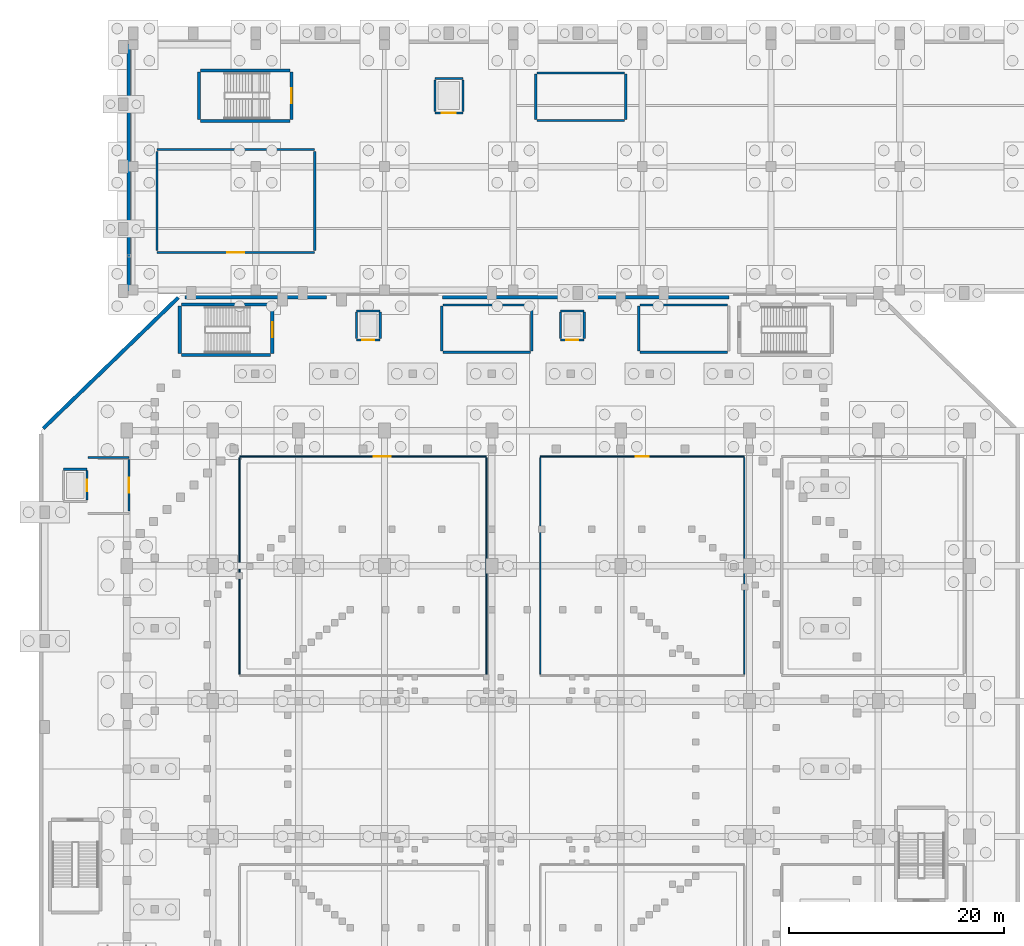
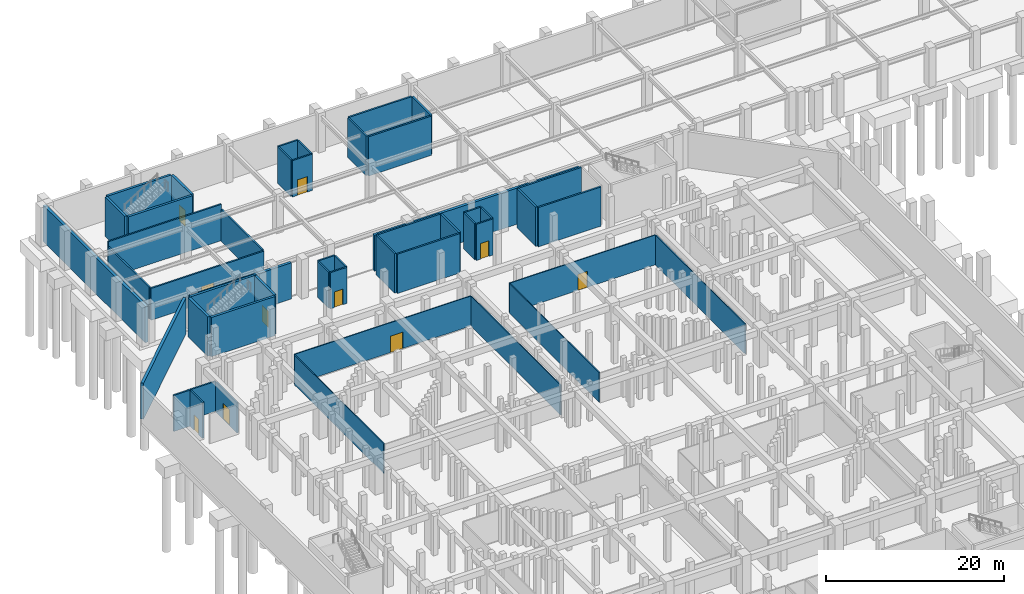
# One storey, part 16 of 27: 49 walls, 10 doors, 10 openings.
"""IFC4 building model written with IfcOpenShell, lengths in metres."""

from ifc_helpers import new_model, si_unit, derived_unit, direction, frame, frame_2d, origin, place, context, subcontext, project, spatial, rectangle, extrude, material, layer, layer_set, type_object, element, fill, save


model = new_model("IFC4")

# Units and contexts
model_context = context("Model", 3, precision=1e-05, world=origin(), true_north=direction((0.0, 1.0)))
body_context = subcontext(model_context, "Body", "Model", "MODEL_VIEW")
ifc_project = project(units=[si_unit("LENGTHUNIT", "METRE"), si_unit("AREAUNIT", "SQUARE_METRE"), si_unit("VOLUMEUNIT", "CUBIC_METRE"), si_unit("PLANEANGLEUNIT", "RADIAN"), si_unit("MASSUNIT", "GRAM", prefix="KILO"), derived_unit("THERMALTRANSMITTANCEUNIT", [(si_unit("MASSUNIT", "GRAM", prefix="KILO"), 1), (si_unit("TIMEUNIT", "SECOND"), -3), (si_unit("THERMODYNAMICTEMPERATUREUNIT", "KELVIN"), -1)])], contexts=[model_context])

# Site, building, storey
site_placement = place(None, origin())
site = spatial("IfcSite", under=ifc_project, at=site_placement, CompositionType="ELEMENT")
building_placement = place(site_placement, origin())
building = spatial("IfcBuilding", under=site, at=building_placement, Name="Valcora Ridge Arena", CompositionType="ELEMENT")
storey_placement = place(building_placement, frame((0.0, 0.0, -5.39990234375)))
storey = spatial("IfcBuildingStorey", under=building, at=storey_placement, Name="B1", CompositionType="ELEMENT", Elevation=-5.39990234375)

# Wall
ifc_material_1 = material(Name="Fire-resisting reinforced concrete enclosure C40/50 200 mm", Category="concrete")
ifc_layer_1 = layer(ifc_material_1, 0.199951171875, Name="Fire-resisting reinforced concrete enclosure C40/50 200 mm")
ifc_layer_set_1 = layer_set([ifc_layer_1], Name="Fire-resisting reinforced concrete enclosure C40/50 200 mm")
wall_type_1 = type_object("IfcWallType", Name="TY-WALL-IW-FIRE-200", PredefinedType="STANDARD", material=ifc_layer_set_1)
wall_1_placement = place(storey_placement, frame((20.39990234375, 93.10009765625, 0.0), z_axis=(0.0, 0.0, 1.0), x_axis=(1.0, 0.0, 0.0)))
element("IfcWall", 1, at=wall_1_placement, inside=storey, type_object=wall_type_1, Name="IW-FIRE-200 WAL-IN-0023", PredefinedType="STANDARD", context=body_context, shape_type="SweptSolid", body=[
    extrude(rectangle(XDim=3.800048828125, YDim=0.199951171875, at=frame_2d((1.89990234375, 0.0))), origin(), (0.0, 0.0, 1.0), 4.10986328125),
])

# Wall, opening, door
wall_2_placement = place(storey_placement, frame((24.199951171875, 88.10009765625, 0.0), z_axis=(0.0, 0.0, 1.0), x_axis=(0.0, 1.0, 0.0)))
wall_2 = element("IfcWall", 2, at=wall_2_placement, inside=storey, type_object=wall_type_1, Name="IW-FIRE-200 WAL-IN-0024", PredefinedType="STANDARD", context=body_context, shape_type="SweptSolid", body=[
    extrude(rectangle(XDim=4.7998046875, YDim=0.199951171875, at=frame_2d((2.39990234375, 0.0))), origin(), (0.0, 0.0, 1.0), 4.10986328125),
])
opening_1_placement = place(wall_2_placement, frame((1.699951171875, 0.0, 0.0)))
opening_1 = element("IfcOpeningElement", 3, at=opening_1_placement, cuts=wall_2, Name="Opening FD-FFL-1400", PredefinedType="OPENING", context=body_context, shape_type="SweptSolid", body=[
    extrude(rectangle(XDim=1.39990234375, YDim=2.199951171875, at=frame_2d((0.699951171875, 1.10009765625))), frame((0.0, 0.10986328125, 0.0), z_axis=(0.0, -1.0, 0.0), x_axis=(1.0, 0.0, 0.0)), (0.0, 0.0, 1.0), 0.219970703125),
])
ifc_material_2 = material(Name="Insulated fire-rated steel door leaf", Category="steel")
door_type_1 = type_object("IfcDoorType", Name="TY-DOOR-FD-FFL-1400", OperationType="NOTDEFINED", PredefinedType="DOOR", material=ifc_material_2)
door_1_placement = place(opening_1_placement, origin())
door_1 = element("IfcDoor", 4, at=door_1_placement, inside=storey, type_object=door_type_1, Name="FD-FFL-1400 DOR-IN-0008", OperationType="DOUBLE_DOOR_SINGLE_SWING", OverallHeight=2.199951171875, OverallWidth=1.39990234375, PredefinedType="DOOR", context=body_context, shape_type="SweptSolid", body=[
    extrude(rectangle(XDim=1.39990234375, YDim=2.199951171875, at=frame_2d((0.699951171875, 1.10009765625))), frame((0.0, 0.02490234375, 0.0), z_axis=(0.0, -1.0, 0.0), x_axis=(1.0, 0.0, 0.0)), (0.0, 0.0, 1.0), 0.050048828125),
])
fill(opening_1, door_1)

wall_3_placement = place(storey_placement, frame((26.800048828125, 112.199951171875, 0.0), z_axis=(0.0, 0.0, 1.0), x_axis=(1.0, 0.0, 0.0)))
wall_3 = element("IfcWall", 5, at=wall_3_placement, inside=storey, type_object=wall_type_1, Name="IW-FIRE-200 WAL-IN-0179", PredefinedType="STANDARD", context=body_context, shape_type="SweptSolid", body=[
    extrude(rectangle(XDim=14.699951171875, YDim=0.199951171875, at=frame_2d((7.35009765625, 0.0))), origin(), (0.0, 0.0, 1.0), 4.387939453125),
])
opening_2_placement = place(wall_3_placement, frame((6.550048828125, 0.0, 0.0)))
opening_2 = element("IfcOpeningElement", 6, at=opening_2_placement, cuts=wall_3, Name="Opening FD-PLT-1600", PredefinedType="OPENING", context=body_context, shape_type="SweptSolid", body=[
    extrude(rectangle(XDim=1.60009765625, YDim=2.300048828125, at=frame_2d((0.800048828125, 1.14990234375))), frame((0.0, 0.10986328125, 0.0), z_axis=(0.0, -1.0, 0.0), x_axis=(1.0, 0.0, 0.0)), (0.0, 0.0, 1.0), 0.219970703125),
])
door_type_2 = type_object("IfcDoorType", Name="TY-DOOR-FD-PLT-1600", OperationType="NOTDEFINED", PredefinedType="DOOR", material=ifc_material_2)
door_2_placement = place(opening_2_placement, origin())
door_2 = element("IfcDoor", 7, at=door_2_placement, inside=storey, type_object=door_type_2, Name="FD-PLT-1600 DOR-IN-0049", OperationType="DOUBLE_DOOR_SINGLE_SWING", OverallHeight=2.300048828125, OverallWidth=1.60009765625, PredefinedType="DOOR", context=body_context, shape_type="SweptSolid", body=[
    extrude(rectangle(XDim=1.60009765625, YDim=2.300048828125, at=frame_2d((0.800048828125, 1.14990234375))), frame((0.0, 0.02490234375, 0.0), z_axis=(0.0, -1.0, 0.0), x_axis=(1.0, 0.0, 0.0)), (0.0, 0.0, 1.0), 0.050048828125),
])
fill(opening_2, door_2)

# Walls
wall_4_placement = place(storey_placement, frame((26.800048828125, 121.800048828125, 0.0), z_axis=(0.0, 0.0, 1.0), x_axis=(1.0, 0.0, 0.0)))
element("IfcWall", 8, at=wall_4_placement, inside=storey, type_object=wall_type_1, Name="IW-FIRE-200 WAL-IN-0180", PredefinedType="STANDARD", context=body_context, shape_type="SweptSolid", body=[
    extrude(rectangle(XDim=14.699951171875, YDim=0.199951171875, at=frame_2d((7.35009765625, 0.0))), origin(), (0.0, 0.0, 1.0), 5.0),
])
for number, where, z_axis, x_axis, name in (
    (9, (26.800048828125, 112.39990234375, 0.0), (0.0, 0.0, 1.0), (0.0, 1.0, 0.0), "IW-FIRE-200 WAL-IN-0181"),
    (10, (41.5, 112.39990234375, 0.0), (0.0, 0.0, 1.0), (0.0, 1.0, 0.0), "IW-FIRE-200 WAL-IN-0182"),
):
    element("IfcWall", number, at=place(storey_placement, frame(where, z_axis=z_axis, x_axis=x_axis)), inside=storey, type_object=wall_type_1, Name=name, PredefinedType="STANDARD", context=body_context, shape_type="SweptSolid", body=[
        extrude(rectangle(XDim=9.2001953125, YDim=0.199951171875, at=frame_2d((4.60009765625, 0.0))), origin(), (0.0, 0.0, 1.0), 4.387939453125),
    ])

# Wall, opening, door
ifc_material_3 = material(Name="Acoustic metal-stud gypsum partition 120 mm")
ifc_layer_2 = layer(ifc_material_3, 0.1201171875, Name="Acoustic metal-stud gypsum partition 120 mm")
ifc_layer_set_2 = layer_set([ifc_layer_2], Name="Acoustic metal-stud gypsum partition 120 mm")
wall_type_2 = type_object("IfcWallType", Name="TY-WALL-IW-PART-120", PredefinedType="PARTITIONING", material=ifc_layer_set_2)
wall_5_placement = place(storey_placement, frame((34.5, 93.199951171875, 0.0), z_axis=(0.0, 0.0, 1.0), x_axis=(1.0, 0.0, 0.0)))
wall_5 = element("IfcWall", 11, at=wall_5_placement, inside=storey, type_object=wall_type_2, Name="IW-PART-120 WAL-IN-0200", PredefinedType="PARTITIONING", context=body_context, shape_type="SweptSolid", body=[
    extrude(rectangle(XDim=23.0, YDim=0.1201171875, at=frame_2d((11.5, 0.0))), origin(), (0.0, 0.0, 1.0), 4.10986328125),
])
opening_3_placement = place(wall_5_placement, frame((12.5, 0.0, 0.0)))
opening_3 = element("IfcOpeningElement", 12, at=opening_3_placement, cuts=wall_5, Name="Opening D-ATH-1600", PredefinedType="OPENING", context=body_context, shape_type="SweptSolid", body=[
    extrude(rectangle(XDim=1.60009765625, YDim=2.25, at=frame_2d((0.800048828125, 1.125))), frame((0.0, 0.070068359375, 0.0), z_axis=(0.0, -1.0, 0.0), x_axis=(1.0, 0.0, 0.0)), (0.0, 0.0, 1.0), 0.14013671875),
])
ifc_material_4 = material(Name="Solid-core acoustic timber veneer door leaf", Category="wood")
door_type_3 = type_object("IfcDoorType", Name="TY-DOOR-D-ATH-1600", OperationType="NOTDEFINED", PredefinedType="DOOR", material=ifc_material_4)
door_3_placement = place(opening_3_placement, origin())
door_3 = element("IfcDoor", 13, at=door_3_placement, inside=storey, type_object=door_type_3, Name="D-ATH-1600 DOR-IN-0054", OperationType="DOUBLE_DOOR_SINGLE_SWING", OverallHeight=2.25, OverallWidth=1.60009765625, PredefinedType="DOOR", context=body_context, shape_type="SweptSolid", body=[
    extrude(rectangle(XDim=1.60009765625, YDim=2.25, at=frame_2d((0.800048828125, 1.125))), frame((0.0, 0.02490234375, 0.0), z_axis=(0.0, -1.0, 0.0), x_axis=(1.0, 0.0, 0.0)), (0.0, 0.0, 1.0), 0.050048828125),
])
fill(opening_3, door_3)

# Walls
for number, where, z_axis, x_axis, name in (
    (14, (34.5, 72.919921875, 0.0), (0.0, 0.0, 1.0), (0.0, 1.0, 0.0), "IW-PART-120 WAL-IN-0201"),
    (15, (57.5, 72.919921875, 0.0), (0.0, 0.0, 1.0), (0.0, 1.0, 0.0), "IW-PART-120 WAL-IN-0202"),
):
    element("IfcWall", number, at=place(storey_placement, frame(where, z_axis=z_axis, x_axis=x_axis)), inside=storey, type_object=wall_type_2, Name=name, PredefinedType="PARTITIONING", context=body_context, shape_type="SweptSolid", body=[
        extrude(rectangle(XDim=20.16015625, YDim=0.1201171875, at=frame_2d((10.080078125, 0.0))), origin(), (0.0, 0.0, 1.0), 4.10986328125),
    ])

# Wall, opening, door
wall_6_placement = place(storey_placement, frame((62.5, 93.199951171875, 0.0), z_axis=(0.0, 0.0, 1.0), x_axis=(1.0, 0.0, 0.0)))
wall_6 = element("IfcWall", 16, at=wall_6_placement, inside=storey, type_object=wall_type_2, Name="IW-PART-120 WAL-IN-0204", PredefinedType="PARTITIONING", context=body_context, shape_type="SweptSolid", body=[
    extrude(rectangle(XDim=19.0, YDim=0.1201171875, at=frame_2d((9.5, 0.0))), origin(), (0.0, 0.0, 1.0), 4.10986328125),
])
opening_4_placement = place(wall_6_placement, frame((8.89990234375, 0.0, 0.0)))
opening_4 = element("IfcOpeningElement", 17, at=opening_4_placement, cuts=wall_6, Name="Opening D-ATH-1200", PredefinedType="OPENING", context=body_context, shape_type="SweptSolid", body=[
    extrude(rectangle(XDim=1.199951171875, YDim=2.199951171875, at=frame_2d((0.60009765625, 1.10009765625))), frame((0.0, 0.070068359375, 0.0), z_axis=(0.0, -1.0, 0.0), x_axis=(1.0, 0.0, 0.0)), (0.0, 0.0, 1.0), 0.14013671875),
])
door_type_4 = type_object("IfcDoorType", Name="TY-DOOR-D-ATH-1200", OperationType="NOTDEFINED", PredefinedType="DOOR", material=ifc_material_4)
door_4_placement = place(opening_4_placement, origin())
door_4 = element("IfcDoor", 18, at=door_4_placement, inside=storey, type_object=door_type_4, Name="D-ATH-1200 DOR-IN-0055", OperationType="SINGLE_SWING_RIGHT", OverallHeight=2.199951171875, OverallWidth=1.199951171875, PredefinedType="DOOR", context=body_context, shape_type="SweptSolid", body=[
    extrude(rectangle(XDim=1.199951171875, YDim=2.199951171875, at=frame_2d((0.60009765625, 1.10009765625))), frame((0.0, 0.02490234375, 0.0), z_axis=(0.0, -1.0, 0.0), x_axis=(1.0, 0.0, 0.0)), (0.0, 0.0, 1.0), 0.050048828125),
])
fill(opening_4, door_4)

# Walls
for number, where, z_axis, x_axis, name in (
    (19, (62.5, 72.919921875, 0.0), (0.0, 0.0, 1.0), (0.0, 1.0, 0.0), "IW-PART-120 WAL-IN-0205"),
    (20, (81.5, 72.919921875, 0.0), (0.0, 0.0, 1.0), (0.0, 1.0, 0.0), "IW-PART-120 WAL-IN-0206"),
):
    element("IfcWall", number, at=place(storey_placement, frame(where, z_axis=z_axis, x_axis=x_axis)), inside=storey, type_object=wall_type_2, Name=name, PredefinedType="PARTITIONING", context=body_context, shape_type="SweptSolid", body=[
        extrude(rectangle(XDim=20.16015625, YDim=0.1201171875, at=frame_2d((10.080078125, 0.0))), origin(), (0.0, 0.0, 1.0), 4.10986328125),
    ])
ifc_material_5 = material(Name="Concrete C40/50", Category="concrete")
ifc_layer_3 = layer(ifc_material_5, 0.199951171875, Name="Concrete C40/50")
ifc_layer_set_3 = layer_set([ifc_layer_3], Name="Concrete C40/50")
wall_type_3 = type_object("IfcWallType", Name="TY-WALL-IW-SHF-200", PredefinedType="STANDARD", material=ifc_layer_set_3)
wall_7_placement = place(storey_placement, frame((18.10009765625, 92.0, 0.0), z_axis=(0.0, 0.0, 1.0), x_axis=(1.0, 0.0, 0.0)))
element("IfcWall", 21, at=wall_7_placement, inside=storey, type_object=wall_type_3, Name="IW-SHF-200 WAL-SH-0030", PredefinedType="STANDARD", context=body_context, shape_type="SweptSolid", body=[
    extrude(rectangle(XDim=2.199951171875, YDim=0.199951171875, at=frame_2d((1.10009765625, 0.0))), origin(), (0.0, 0.0, 1.0), 4.9599609375),
])

# Wall, opening, door
wall_8_placement = place(storey_placement, frame((20.300048828125, 89.1201171875, 0.0), z_axis=(0.0, 0.0, 1.0), x_axis=(0.0, 1.0, 0.0)))
wall_8 = element("IfcWall", 22, at=wall_8_placement, inside=storey, type_object=wall_type_3, Name="IW-SHF-200 WAL-SH-0032", PredefinedType="STANDARD", context=body_context, shape_type="SweptSolid", body=[
    extrude(rectangle(XDim=2.759765625, YDim=0.199951171875, at=frame_2d((1.3798828125, 0.0))), origin(), (0.0, 0.0, 1.0), 4.9599609375),
])
opening_5_placement = place(wall_8_placement, frame((0.830078125, 0.0, 0.0)))
opening_5 = element("IfcOpeningElement", 23, at=opening_5_placement, cuts=wall_8, Name="Opening LD-FF", PredefinedType="OPENING", context=body_context, shape_type="SweptSolid", body=[
    extrude(rectangle(XDim=1.10009765625, YDim=2.14990234375, at=frame_2d((0.550048828125, 1.074951171875))), frame((0.0, 0.10986328125, 0.0), z_axis=(0.0, -1.0, 0.0), x_axis=(1.0, 0.0, 0.0)), (0.0, 0.0, 1.0), 0.219970703125),
])
ifc_material_6 = material(Name="Insulated fire-rated hollow metal steel", Category="steel")
door_type_5 = type_object("IfcDoorType", Name="TY-DOOR-LD-FF", OperationType="NOTDEFINED", PredefinedType="DOOR", material=ifc_material_6)
door_5_placement = place(opening_5_placement, origin())
door_5 = element("IfcDoor", 24, at=door_5_placement, inside=storey, type_object=door_type_5, Name="FFL2 Landing Door B1", OperationType="SLIDING_TO_LEFT", OverallHeight=2.14990234375, OverallWidth=1.10009765625, PredefinedType="DOOR", context=body_context, shape_type="SweptSolid", body=[
    extrude(rectangle(XDim=1.10009765625, YDim=2.14990234375, at=frame_2d((0.550048828125, 1.074951171875))), frame((0.0, 0.02490234375, 0.0), z_axis=(0.0, -1.0, 0.0), x_axis=(1.0, 0.0, 0.0)), (0.0, 0.0, 1.0), 0.050048828125),
])
fill(opening_5, door_5)

wall_9_placement = place(storey_placement, frame((45.39990234375, 104.050048828125, 0.0), z_axis=(0.0, 0.0, 1.0), x_axis=(1.0, 0.0, 0.0)))
wall_9 = element("IfcWall", 25, at=wall_9_placement, inside=storey, type_object=wall_type_3, Name="IW-SHF-200 WAL-SH-0105", PredefinedType="STANDARD", context=body_context, shape_type="SweptSolid", body=[
    extrude(rectangle(XDim=2.2001953125, YDim=0.199951171875, at=frame_2d((1.10009765625, 0.0))), origin(), (0.0, 0.0, 1.0), 4.9599609375),
])
opening_6_placement = place(wall_9_placement, frame((0.550048828125, 0.0, 0.0)))
opening_6 = element("IfcOpeningElement", 26, at=opening_6_placement, cuts=wall_9, Name="Opening LD-PAX", PredefinedType="OPENING", context=body_context, shape_type="SweptSolid", body=[
    extrude(rectangle(XDim=1.10009765625, YDim=2.14990234375, at=frame_2d((0.550048828125, 1.074951171875))), frame((0.0, 0.10986328125, 0.0), z_axis=(0.0, -1.0, 0.0), x_axis=(1.0, 0.0, 0.0)), (0.0, 0.0, 1.0), 0.219970703125),
])
door_type_6 = type_object("IfcDoorType", Name="TY-DOOR-LD-PAX", OperationType="NOTDEFINED", PredefinedType="DOOR", material=ifc_material_6)
door_6_placement = place(opening_6_placement, origin())
door_6 = element("IfcDoor", 27, at=door_6_placement, inside=storey, type_object=door_type_6, Name="PL3 Landing Door B1", OperationType="SLIDING_TO_LEFT", OverallHeight=2.14990234375, OverallWidth=1.10009765625, PredefinedType="DOOR", context=body_context, shape_type="SweptSolid", body=[
    extrude(rectangle(XDim=1.10009765625, YDim=2.14990234375, at=frame_2d((0.550048828125, 1.074951171875))), frame((0.0, 0.02490234375, 0.0), z_axis=(0.0, -1.0, 0.0), x_axis=(1.0, 0.0, 0.0)), (0.0, 0.0, 1.0), 0.050048828125),
])
fill(opening_6, door_6)

# Walls
wall_10_placement = place(storey_placement, frame((45.39990234375, 106.75, 0.0), z_axis=(0.0, 0.0, 1.0), x_axis=(1.0, 0.0, 0.0)))
element("IfcWall", 28, at=wall_10_placement, inside=storey, type_object=wall_type_3, Name="IW-SHF-200 WAL-SH-0106", PredefinedType="STANDARD", context=body_context, shape_type="SweptSolid", body=[
    extrude(rectangle(XDim=2.2001953125, YDim=0.199951171875, at=frame_2d((1.10009765625, 0.0))), origin(), (0.0, 0.0, 1.0), 4.9599609375),
])
for number, where, z_axis, x_axis, name in (
    (29, (45.39990234375, 104.169921875, 0.0), (0.0, 0.0, 1.0), (0.0, 1.0, 0.0), "IW-SHF-200 WAL-SH-0107"),
    (30, (47.60009765625, 104.169921875, 0.0), (0.0, 0.0, 1.0), (0.0, 1.0, 0.0), "IW-SHF-200 WAL-SH-0108"),
):
    element("IfcWall", number, at=place(storey_placement, frame(where, z_axis=z_axis, x_axis=x_axis)), inside=storey, type_object=wall_type_3, Name=name, PredefinedType="STANDARD", context=body_context, shape_type="SweptSolid", body=[
        extrude(rectangle(XDim=2.4599609375, YDim=0.199951171875, at=frame_2d((1.22998046875, 0.0))), origin(), (0.0, 0.0, 1.0), 4.9599609375),
    ])

# Wall, opening, door
wall_11_placement = place(storey_placement, frame((64.39990234375, 104.050048828125, 0.0), z_axis=(0.0, 0.0, 1.0), x_axis=(1.0, 0.0, 0.0)))
wall_11 = element("IfcWall", 31, at=wall_11_placement, inside=storey, type_object=wall_type_3, Name="IW-SHF-200 WAL-SH-0129", PredefinedType="STANDARD", context=body_context, shape_type="SweptSolid", body=[
    extrude(rectangle(XDim=2.2001953125, YDim=0.199951171875, at=frame_2d((1.10009765625, 0.0))), origin(), (0.0, 0.0, 1.0), 4.9599609375),
])
opening_7_placement = place(wall_11_placement, frame((0.550048828125, 0.0, 0.0)))
opening_7 = element("IfcOpeningElement", 32, at=opening_7_placement, cuts=wall_11, Name="Opening LD-PAX", PredefinedType="OPENING", context=body_context, shape_type="SweptSolid", body=[
    extrude(rectangle(XDim=1.10009765625, YDim=2.14990234375, at=frame_2d((0.550048828125, 1.074951171875))), frame((0.0, 0.10986328125, 0.0), z_axis=(0.0, -1.0, 0.0), x_axis=(1.0, 0.0, 0.0)), (0.0, 0.0, 1.0), 0.219970703125),
])
door_7_placement = place(opening_7_placement, origin())
door_7 = element("IfcDoor", 33, at=door_7_placement, inside=storey, type_object=door_type_6, Name="PL4 Landing Door B1", OperationType="SLIDING_TO_LEFT", OverallHeight=2.14990234375, OverallWidth=1.10009765625, PredefinedType="DOOR", context=body_context, shape_type="SweptSolid", body=[
    extrude(rectangle(XDim=1.10009765625, YDim=2.14990234375, at=frame_2d((0.550048828125, 1.074951171875))), frame((0.0, 0.02490234375, 0.0), z_axis=(0.0, -1.0, 0.0), x_axis=(1.0, 0.0, 0.0)), (0.0, 0.0, 1.0), 0.050048828125),
])
fill(opening_7, door_7)

# Walls
wall_12_placement = place(storey_placement, frame((64.39990234375, 106.75, 0.0), z_axis=(0.0, 0.0, 1.0), x_axis=(1.0, 0.0, 0.0)))
element("IfcWall", 34, at=wall_12_placement, inside=storey, type_object=wall_type_3, Name="IW-SHF-200 WAL-SH-0130", PredefinedType="STANDARD", context=body_context, shape_type="SweptSolid", body=[
    extrude(rectangle(XDim=2.2001953125, YDim=0.199951171875, at=frame_2d((1.10009765625, 0.0))), origin(), (0.0, 0.0, 1.0), 4.9599609375),
])
for number, where, z_axis, x_axis, name in (
    (35, (64.39990234375, 104.169921875, 0.0), (0.0, 0.0, 1.0), (0.0, 1.0, 0.0), "IW-SHF-200 WAL-SH-0131"),
    (36, (66.60009765625, 104.169921875, 0.0), (0.0, 0.0, 1.0), (0.0, 1.0, 0.0), "IW-SHF-200 WAL-SH-0132"),
):
    element("IfcWall", number, at=place(storey_placement, frame(where, z_axis=z_axis, x_axis=x_axis)), inside=storey, type_object=wall_type_3, Name=name, PredefinedType="STANDARD", context=body_context, shape_type="SweptSolid", body=[
        extrude(rectangle(XDim=2.4599609375, YDim=0.199951171875, at=frame_2d((1.22998046875, 0.0))), origin(), (0.0, 0.0, 1.0), 4.9599609375),
    ])

# Wall, opening, door
wall_13_placement = place(storey_placement, frame((52.699951171875, 125.199951171875, 0.0), z_axis=(0.0, 0.0, 1.0), x_axis=(1.0, 0.0, 0.0)))
wall_13 = element("IfcWall", 37, at=wall_13_placement, inside=storey, type_object=wall_type_3, Name="IW-SHF-200 WAL-SH-0245", PredefinedType="STANDARD", context=body_context, shape_type="SweptSolid", body=[
    extrude(rectangle(XDim=2.60009765625, YDim=0.199951171875, at=frame_2d((1.300048828125, 0.0))), origin(), (0.0, 0.0, 1.0), 5.0),
])
opening_8_placement = place(wall_13_placement, frame((0.64990234375, 0.0, 0.0)))
opening_8 = element("IfcOpeningElement", 38, at=opening_8_placement, cuts=wall_13, Name="Opening LD-GDS", PredefinedType="OPENING", context=body_context, shape_type="SweptSolid", body=[
    extrude(rectangle(XDim=1.300048828125, YDim=2.14990234375, at=frame_2d((0.64990234375, 1.074951171875))), frame((0.0, 0.10986328125, 0.0), z_axis=(0.0, -1.0, 0.0), x_axis=(1.0, 0.0, 0.0)), (0.0, 0.0, 1.0), 0.219970703125),
])
door_type_7 = type_object("IfcDoorType", Name="TY-DOOR-LD-GDS", OperationType="NOTDEFINED", PredefinedType="DOOR", material=ifc_material_6)
door_8_placement = place(opening_8_placement, origin())
door_8 = element("IfcDoor", 39, at=door_8_placement, inside=storey, type_object=door_type_7, Name="GL1 Landing Door B1", OperationType="SLIDING_TO_LEFT", OverallHeight=2.14990234375, OverallWidth=1.300048828125, PredefinedType="DOOR", context=body_context, shape_type="SweptSolid", body=[
    extrude(rectangle(XDim=1.300048828125, YDim=2.14990234375, at=frame_2d((0.64990234375, 1.074951171875))), frame((0.0, 0.02490234375, 0.0), z_axis=(0.0, -1.0, 0.0), x_axis=(1.0, 0.0, 0.0)), (0.0, 0.0, 1.0), 0.050048828125),
])
fill(opening_8, door_8)

# Walls
wall_14_placement = place(storey_placement, frame((52.699951171875, 128.39990234375, 0.0), z_axis=(0.0, 0.0, 1.0), x_axis=(1.0, 0.0, 0.0)))
element("IfcWall", 40, at=wall_14_placement, inside=storey, type_object=wall_type_3, Name="IW-SHF-200 WAL-SH-0246", PredefinedType="STANDARD", context=body_context, shape_type="SweptSolid", body=[
    extrude(rectangle(XDim=2.60009765625, YDim=0.199951171875, at=frame_2d((1.300048828125, 0.0))), origin(), (0.0, 0.0, 1.0), 5.0),
])
for number, where, z_axis, x_axis, name in (
    (41, (52.699951171875, 125.320068359375, 0.0), (0.0, 0.0, 1.0), (0.0, 1.0, 0.0), "IW-SHF-200 WAL-SH-0247"),
    (42, (55.300048828125, 125.320068359375, 0.0), (0.0, 0.0, 1.0), (0.0, 1.0, 0.0), "IW-SHF-200 WAL-SH-0248"),
):
    element("IfcWall", number, at=place(storey_placement, frame(where, z_axis=z_axis, x_axis=x_axis)), inside=storey, type_object=wall_type_3, Name=name, PredefinedType="STANDARD", context=body_context, shape_type="SweptSolid", body=[
        extrude(rectangle(XDim=2.9599609375, YDim=0.199951171875, at=frame_2d((1.47998046875, 0.0))), origin(), (0.0, 0.0, 1.0), 5.0),
    ])
ifc_material_7 = material(Name="Concrete C45/55", Category="concrete")
ifc_layer_4 = layer(ifc_material_7, 0.300048828125, Name="Concrete C45/55")
ifc_layer_set_4 = layer_set([ifc_layer_4], Name="Concrete C45/55")
wall_type_4 = type_object("IfcWallType", Name="TY-WALL-SW-C300-L", PredefinedType="SHEAR", material=ifc_layer_set_4)
for number, where, z_axis, x_axis, name in (
    (43, (29.080078125, 102.64990234375, 0.0), (0.0, 0.0, 1.0), (1.0, 0.0, 0.0), "SW-C300-L WAL-CR-0053"),
    (44, (29.080078125, 107.35009765625, 0.0), (0.0, 0.0, 1.0), (1.0, 0.0, 0.0), "SW-C300-L WAL-CR-0054"),
):
    element("IfcWall", number, at=place(storey_placement, frame(where, z_axis=z_axis, x_axis=x_axis)), inside=storey, type_object=wall_type_4, Name=name, PredefinedType="SHEAR", context=body_context, shape_type="SweptSolid", body=[
        extrude(rectangle(XDim=8.31982421875, YDim=0.300048828125, at=frame_2d((4.159912109375, 0.0))), origin(), (0.0, 0.0, 1.0), 5.39990234375),
    ])
for number, where, z_axis, x_axis, name in (
    (45, (30.8798828125, 124.449951171875, 0.0), (0.0, 0.0, 1.0), (1.0, 0.0, 0.0), "SW-C300-L WAL-CR-0177"),
    (46, (30.8798828125, 129.14990234375, 0.0), (0.0, 0.0, 1.0), (1.0, 0.0, 0.0), "SW-C300-L WAL-CR-0178"),
):
    element("IfcWall", number, at=place(storey_placement, frame(where, z_axis=z_axis, x_axis=x_axis)), inside=storey, type_object=wall_type_4, Name=name, PredefinedType="SHEAR", context=body_context, shape_type="SweptSolid", body=[
        extrude(rectangle(XDim=8.320068359375, YDim=0.300048828125, at=frame_2d((4.16015625, 0.0))), origin(), (0.0, 0.0, 1.0), 5.39990234375),
    ])
ifc_layer_5 = layer(ifc_material_7, 0.300048828125, Name="Concrete C45/55")
ifc_layer_set_5 = layer_set([ifc_layer_5], Name="Concrete C45/55")
wall_type_5 = type_object("IfcWallType", Name="TY-WALL-SW-C300-S", PredefinedType="SHEAR", material=ifc_layer_set_5)
wall_15_placement = place(storey_placement, frame((28.929931640625, 102.800048828125, 0.0), z_axis=(0.0, 0.0, 1.0), x_axis=(0.0, 1.0, 0.0)))
element("IfcWall", 47, at=wall_15_placement, inside=storey, type_object=wall_type_5, Name="SW-C300-S WAL-CR-0055", PredefinedType="SHEAR", context=body_context, shape_type="SweptSolid", body=[
    extrude(rectangle(XDim=4.39990234375, YDim=0.300048828125, at=frame_2d((2.199951171875, 0.0))), origin(), (0.0, 0.0, 1.0), 5.39990234375),
])

# Wall, opening, door
wall_16_placement = place(storey_placement, frame((37.550048828125, 102.800048828125, 0.0), z_axis=(0.0, 0.0, 1.0), x_axis=(0.0, 1.0, 0.0)))
wall_16 = element("IfcWall", 48, at=wall_16_placement, inside=storey, type_object=wall_type_5, Name="SW-C300-S WAL-CR-0056", PredefinedType="SHEAR", context=body_context, shape_type="SweptSolid", body=[
    extrude(rectangle(XDim=4.39990234375, YDim=0.300048828125, at=frame_2d((2.199951171875, 0.0))), origin(), (0.0, 0.0, 1.0), 5.39990234375),
])
opening_9_placement = place(wall_16_placement, frame((1.5, 0.0, 0.0)))
opening_9 = element("IfcOpeningElement", 49, at=opening_9_placement, cuts=wall_16, Name="Opening FD-01", PredefinedType="OPENING", context=body_context, shape_type="SweptSolid", body=[
    extrude(rectangle(XDim=1.39990234375, YDim=2.199951171875, at=frame_2d((0.699951171875, 1.10009765625))), frame((0.0, 0.159912109375, 0.0), z_axis=(0.0, -1.0, 0.0), x_axis=(1.0, 0.0, 0.0)), (0.0, 0.0, 1.0), 0.320068359375),
])
door_type_8 = type_object("IfcDoorType", Name="TY-DOOR-FD-01", OperationType="NOTDEFINED", PredefinedType="DOOR", material=ifc_material_2)
door_9_placement = place(opening_9_placement, origin())
door_9 = element("IfcDoor", 50, at=door_9_placement, inside=storey, type_object=door_type_8, Name="FD-01 DOR-ST-0014", OperationType="DOUBLE_DOOR_SINGLE_SWING", OverallHeight=2.199951171875, OverallWidth=1.39990234375, PredefinedType="DOOR", context=body_context, shape_type="SweptSolid", body=[
    extrude(rectangle(XDim=1.39990234375, YDim=2.199951171875, at=frame_2d((0.699951171875, 1.10009765625))), frame((0.0, 0.02490234375, 0.0), z_axis=(0.0, -1.0, 0.0), x_axis=(1.0, 0.0, 0.0)), (0.0, 0.0, 1.0), 0.050048828125),
])
fill(opening_9, door_9)

# Wall
wall_17_placement = place(storey_placement, frame((30.72998046875, 124.60009765625, 0.0), z_axis=(0.0, 0.0, 1.0), x_axis=(0.0, 1.0, 0.0)))
element("IfcWall", 51, at=wall_17_placement, inside=storey, type_object=wall_type_5, Name="SW-C300-S WAL-CR-0179", PredefinedType="SHEAR", context=body_context, shape_type="SweptSolid", body=[
    extrude(rectangle(XDim=4.39990234375, YDim=0.300048828125, at=frame_2d((2.199951171875, 0.0))), origin(), (0.0, 0.0, 1.0), 5.39990234375),
])

# Wall, opening, door
wall_18_placement = place(storey_placement, frame((39.35009765625, 124.60009765625, 0.0), z_axis=(0.0, 0.0, 1.0), x_axis=(0.0, 1.0, 0.0)))
wall_18 = element("IfcWall", 52, at=wall_18_placement, inside=storey, type_object=wall_type_5, Name="SW-C300-S WAL-CR-0180", PredefinedType="SHEAR", context=body_context, shape_type="SweptSolid", body=[
    extrude(rectangle(XDim=4.39990234375, YDim=0.300048828125, at=frame_2d((2.199951171875, 0.0))), origin(), (0.0, 0.0, 1.0), 5.39990234375),
])
opening_10_placement = place(wall_18_placement, frame((1.5, 0.0, 0.0)))
opening_10 = element("IfcOpeningElement", 53, at=opening_10_placement, cuts=wall_18, Name="Opening FD-01", PredefinedType="OPENING", context=body_context, shape_type="SweptSolid", body=[
    extrude(rectangle(XDim=1.39990234375, YDim=2.199951171875, at=frame_2d((0.699951171875, 1.10009765625))), frame((0.0, 0.159912109375, 0.0), z_axis=(0.0, -1.0, 0.0), x_axis=(1.0, 0.0, 0.0)), (0.0, 0.0, 1.0), 0.320068359375),
])
door_10_placement = place(opening_10_placement, origin())
door_10 = element("IfcDoor", 54, at=door_10_placement, inside=storey, type_object=door_type_8, Name="FD-01 DOR-ST-0045", OperationType="DOUBLE_DOOR_SINGLE_SWING", OverallHeight=2.199951171875, OverallWidth=1.39990234375, PredefinedType="DOOR", context=body_context, shape_type="SweptSolid", body=[
    extrude(rectangle(XDim=1.39990234375, YDim=2.199951171875, at=frame_2d((0.699951171875, 1.10009765625))), frame((0.0, 0.02490234375, 0.0), z_axis=(0.0, -1.0, 0.0), x_axis=(1.0, 0.0, 0.0)), (0.0, 0.0, 1.0), 0.050048828125),
])
fill(opening_10, door_10)

# Walls
ifc_layer_6 = layer(ifc_material_1, 0.219970703125, Name="Fire-resisting reinforced concrete enclosure C40/50 200 mm")
ifc_layer_set_6 = layer_set([ifc_layer_6], Name="Fire-resisting reinforced concrete enclosure C40/50 200 mm")
wall_type_6 = type_object("IfcWallType", Name="TY-WALL-SW-ES-220", PredefinedType="SHEAR", material=ifc_layer_set_6)
for number, where, z_axis, x_axis, name in (
    (55, (53.43994140625, 102.889892578125, 0.0), (0.0, 0.0, 1.0), (1.0, 0.0, 0.0), "SW-ES-220 WAL-ES-0049"),
    (56, (53.43994140625, 107.31005859375, 0.0), (0.0, 0.0, 1.0), (1.0, 0.0, 0.0), "SW-ES-220 WAL-ES-0050"),
):
    element("IfcWall", number, at=place(storey_placement, frame(where, z_axis=z_axis, x_axis=x_axis)), inside=storey, type_object=wall_type_6, Name=name, PredefinedType="SHEAR", context=body_context, shape_type="SweptSolid", body=[
        extrude(rectangle(XDim=8.16015625, YDim=0.219970703125, at=frame_2d((4.080078125, 0.0))), origin(), (0.0, 0.0, 1.0), 5.39990234375),
    ])
for number, where, z_axis, x_axis, name in (
    (57, (53.330078125, 103.0, 0.0), (0.0, 0.0, 1.0), (0.0, 1.0, 0.0), "SW-ES-220 WAL-ES-0051"),
    (58, (61.7099609375, 103.0, 0.0), (0.0, 0.0, 1.0), (0.0, 1.0, 0.0), "SW-ES-220 WAL-ES-0052"),
):
    element("IfcWall", number, at=place(storey_placement, frame(where, z_axis=z_axis, x_axis=x_axis)), inside=storey, type_object=wall_type_6, Name=name, PredefinedType="SHEAR", context=body_context, shape_type="SweptSolid", body=[
        extrude(rectangle(XDim=4.199951171875, YDim=0.219970703125, at=frame_2d((2.10009765625, 0.0))), origin(), (0.0, 0.0, 1.0), 5.39990234375),
    ])
for number, where, z_axis, x_axis, name in (
    (59, (71.800048828125, 102.889892578125, 0.0), (0.0, 0.0, 1.0), (1.0, 0.0, 0.0), "SW-ES-220 WAL-ES-0073"),
    (60, (71.800048828125, 107.31005859375, 0.0), (0.0, 0.0, 1.0), (1.0, 0.0, 0.0), "SW-ES-220 WAL-ES-0074"),
):
    element("IfcWall", number, at=place(storey_placement, frame(where, z_axis=z_axis, x_axis=x_axis)), inside=storey, type_object=wall_type_6, Name=name, PredefinedType="SHEAR", context=body_context, shape_type="SweptSolid", body=[
        extrude(rectangle(XDim=8.159912109375, YDim=0.219970703125, at=frame_2d((4.080078125, 0.0))), origin(), (0.0, 0.0, 1.0), 5.39990234375),
    ])
wall_19_placement = place(storey_placement, frame((71.68994140625, 103.0, 0.0), z_axis=(0.0, 0.0, 1.0), x_axis=(0.0, 1.0, 0.0)))
element("IfcWall", 61, at=wall_19_placement, inside=storey, type_object=wall_type_6, Name="SW-ES-220 WAL-ES-0075", PredefinedType="SHEAR", context=body_context, shape_type="SweptSolid", body=[
    extrude(rectangle(XDim=4.199951171875, YDim=0.219970703125, at=frame_2d((2.10009765625, 0.0))), origin(), (0.0, 0.0, 1.0), 5.39990234375),
])
for number, where, z_axis, x_axis, name in (
    (62, (62.199951171875, 124.489990234375, 0.0), (0.0, 0.0, 1.0), (1.0, 0.0, 0.0), "SW-ES-220 WAL-ES-0165"),
    (63, (62.199951171875, 128.909912109375, 0.0), (0.0, 0.0, 1.0), (1.0, 0.0, 0.0), "SW-ES-220 WAL-ES-0166"),
):
    element("IfcWall", number, at=place(storey_placement, frame(where, z_axis=z_axis, x_axis=x_axis)), inside=storey, type_object=wall_type_6, Name=name, PredefinedType="SHEAR", context=body_context, shape_type="SweptSolid", body=[
        extrude(rectangle(XDim=8.16015625, YDim=0.219970703125, at=frame_2d((4.080078125, 0.0))), origin(), (0.0, 0.0, 1.0), 5.39990234375),
    ])
for number, where, z_axis, x_axis, name in (
    (64, (62.090087890625, 124.60009765625, 0.0), (0.0, 0.0, 1.0), (0.0, 1.0, 0.0), "SW-ES-220 WAL-ES-0167"),
    (65, (70.469970703125, 124.60009765625, 0.0), (0.0, 0.0, 1.0), (0.0, 1.0, 0.0), "SW-ES-220 WAL-ES-0168"),
):
    element("IfcWall", number, at=place(storey_placement, frame(where, z_axis=z_axis, x_axis=x_axis)), inside=storey, type_object=wall_type_6, Name=name, PredefinedType="SHEAR", context=body_context, shape_type="SweptSolid", body=[
        extrude(rectangle(XDim=4.199951171875, YDim=0.219970703125, at=frame_2d((2.10009765625, 0.0))), origin(), (0.0, 0.0, 1.0), 5.39990234375),
    ])
ifc_layer_7 = layer(ifc_material_5, 0.35009765625, Name="Concrete C40/50")
ifc_layer_set_7 = layer_set([ifc_layer_7], Name="Concrete C40/50")
wall_type_7 = type_object("IfcWallType", Name="TY-WALL-SW-RET-350", PredefinedType="SOLIDWALL", material=ifc_layer_set_7)
wall_20_placement = place(storey_placement, frame((29.39990234375, 108.02001953125, 0.0), z_axis=(0.0, 0.0, 1.0), x_axis=(1.0, 0.0, 0.0)))
element("IfcWall", 66, at=wall_20_placement, inside=storey, type_object=wall_type_7, Name="SW-RET-350 WAL-RT-0005", PredefinedType="SOLIDWALL", context=body_context, shape_type="SweptSolid", body=[
    extrude(rectangle(XDim=13.2001953125, YDim=0.35009765625, at=frame_2d((6.60009765625, 0.0))), origin(), (0.0, 0.0, 1.0), 4.9599609375),
])
wall_21_placement = place(storey_placement, frame((53.39990234375, 108.02001953125, 0.0), z_axis=(0.0, 0.0, 1.0), x_axis=(1.0, 0.0, 0.0)))
element("IfcWall", 67, at=wall_21_placement, inside=storey, type_object=wall_type_7, Name="SW-RET-350 WAL-RT-0006", PredefinedType="SOLIDWALL", context=body_context, shape_type="SweptSolid", body=[
    extrude(rectangle(XDim=26.7001953125, YDim=0.35009765625, at=frame_2d((13.35009765625, 0.0))), origin(), (0.0, 0.0, 1.0), 4.9599609375),
])
wall_22_placement = place(storey_placement, frame((28.78466796875, 107.9912109375, 0.0), z_axis=(0.0, 0.0, 1.0), x_axis=(-0.718073787682, -0.695966978703, 0.0)))
element("IfcWall", 68, at=wall_22_placement, inside=storey, type_object=wall_type_7, Name="SW-RET-350 WAL-RT-0008", PredefinedType="SOLIDWALL", context=body_context, shape_type="SweptSolid", body=[
    extrude(rectangle(XDim=17.504150390625, YDim=0.35009765625, at=frame_2d((8.751953125, 0.0))), origin(), (0.0, 0.0, 1.0), 4.9599609375),
])
wall_23_placement = place(storey_placement, frame((24.179931640625, 108.60009765625, 0.0), z_axis=(0.0, 0.0, 1.0), x_axis=(0.0, 1.0, 0.0)))
element("IfcWall", 69, at=wall_23_placement, inside=storey, type_object=wall_type_7, Name="SW-RET-350 WAL-RT-0015", PredefinedType="SOLIDWALL", context=body_context, shape_type="SweptSolid", body=[
    extrude(rectangle(XDim=23.0, YDim=0.35009765625, at=frame_2d((11.5, 0.0))), origin(), (0.0, 0.0, 1.0), 5.0),
])

save(model, "model.ifc")
